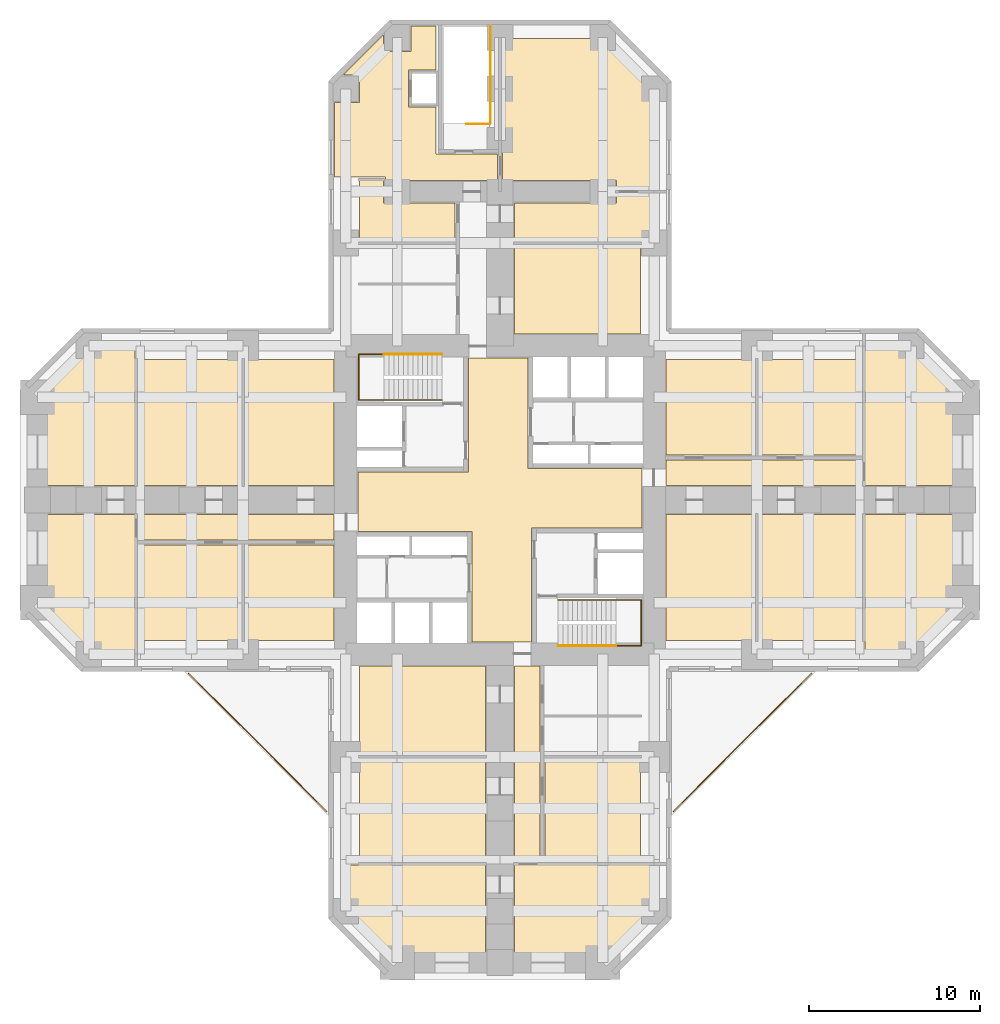
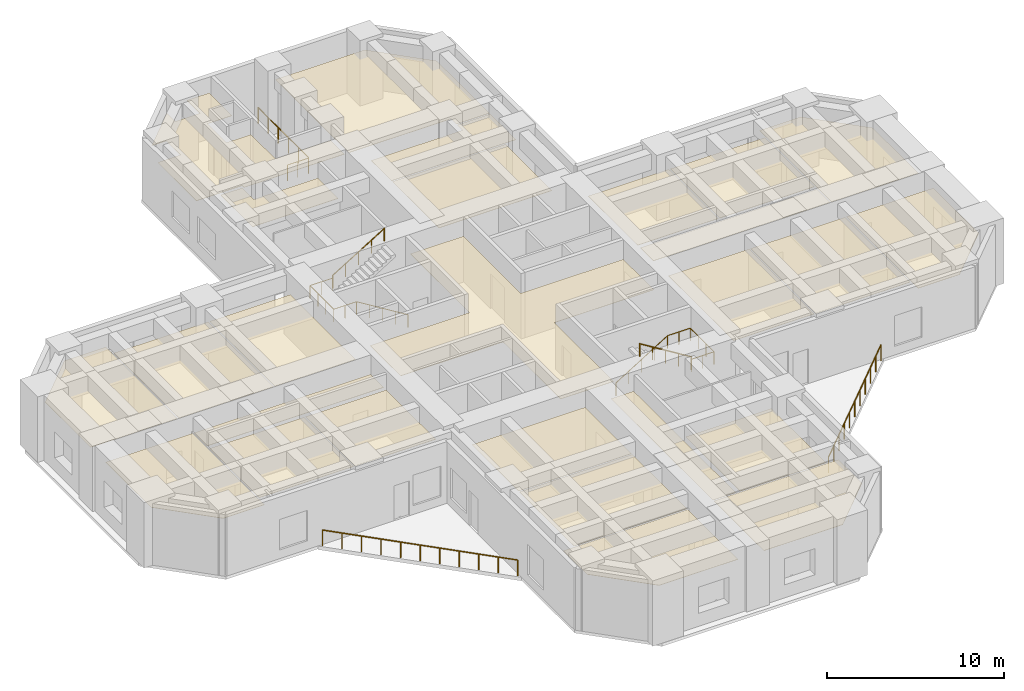
# One storey, part 8 of 8: 26 coverings, 8 railings.
"""IFC4 building model written with IfcOpenShell, lengths in metres."""

from ifc_helpers import new_model, si_unit, direction, frame, origin, origin_2d, place, context, subcontext, project, spatial, polyline, circle, outline, extrude, material, layer, layer_set, constituent, constituent_set, type_object, element, save


model = new_model("IFC4")

# Units and contexts
model_context = context("Model", 3, precision=1e-05, world=origin(), true_north=direction((0.0, 1.0)))
body_context = subcontext(model_context, "Body", "Model", "MODEL_VIEW")
ifc_project = project(units=[si_unit("LENGTHUNIT", "METRE"), si_unit("AREAUNIT", "SQUARE_METRE"), si_unit("VOLUMEUNIT", "CUBIC_METRE"), si_unit("PLANEANGLEUNIT", "RADIAN"), si_unit("MASSUNIT", "GRAM", prefix="KILO")], contexts=[model_context])

# Site, building, storey
site_placement = place(None, origin())
site = spatial("IfcSite", under=ifc_project, at=site_placement, CompositionType="ELEMENT")
building_placement = place(site_placement, origin())
building = spatial("IfcBuilding", under=site, at=building_placement, Name="Torre Cruceta", CompositionType="ELEMENT")
storey_placement = place(building_placement, frame((0.0, 0.0, 14.0)))
storey = spatial("IfcBuildingStorey", under=building, at=storey_placement, Name="L03", CompositionType="ELEMENT", Elevation=14.0)

# Railings
ifc_material_1 = material(Name="Stainless steel 1.4401", Category="steel")
railing_type_1 = type_object("IfcRailingType", Name="HANDRAIL 900", PredefinedType="HANDRAIL", material=ifc_material_1)
railing_1_placement = place(storey_placement, frame((-3.39990234375, 5.8349609375, 0.173095703125)))
element("IfcRailing", 1, at=railing_1_placement, inside=storey, type_object=railing_type_1, Name="Handrail HR1 ST1 L03", PredefinedType="HANDRAIL", context=body_context, shape_type="SweptSolid", body=[
    extrude(circle(Radius=0.02392578125, at=origin_2d()), frame((0.0, 0.0, 0.8759765625), z_axis=(-0.850623216509, 0.0, 0.525775754039), x_axis=(0.0, -1.0, 0.0)), (0.0, 0.0, 1.0), 3.9501953125),
    extrude(circle(Radius=0.02392578125, at=origin_2d()), frame((-3.360107421875, 0.0, 2.95263671875), z_axis=(-1.0, 0.0, 0.0), x_axis=(0.0, -1.0, 0.0)), (0.0, 0.0, 1.0), 1.47998046875),
    extrude(circle(Radius=0.02392578125, at=origin_2d()), frame((-4.840087890625, 0.0, 2.95263671875), z_axis=(0.0, 1.0, 0.0), x_axis=(-1.0, 0.0, 0.0)), (0.0, 0.0, 1.0), 2.679931640625),
    extrude(circle(Radius=0.02392578125, at=origin_2d()), frame((-4.840087890625, 2.679931640625, 2.95263671875), z_axis=(1.0, 0.0, 0.0), x_axis=(0.0, 1.0, 0.0)), (0.0, 0.0, 1.0), 1.47998046875),
    extrude(circle(Radius=0.02099609375, at=origin_2d()), origin(), (0.0, 0.0, 1.0), 0.851806640625),
    extrude(circle(Radius=0.02099609375, at=origin_2d()), frame((-0.840087890625, 0.0, 0.519287109375)), (0.0, 0.0, 1.0), 0.851806640625),
    extrude(circle(Radius=0.02099609375, at=origin_2d()), frame((-1.68017578125, 0.0, 1.03857421875)), (0.0, 0.0, 1.0), 0.851806640625),
    extrude(circle(Radius=0.02099609375, at=origin_2d()), frame((-2.52001953125, 0.0, 1.5576171875)), (0.0, 0.0, 1.0), 0.851806640625),
    extrude(circle(Radius=0.02099609375, at=origin_2d()), frame((-3.360107421875, 0.0, 2.076904296875)), (0.0, 0.0, 1.0), 0.851806640625),
    extrude(circle(Radius=0.02099609375, at=origin_2d()), frame((-4.10009765625, 0.0, 2.076904296875)), (0.0, 0.0, 1.0), 0.851806640625),
    extrude(circle(Radius=0.02099609375, at=origin_2d()), frame((-4.840087890625, 0.0, 2.076904296875)), (0.0, 0.0, 1.0), 0.851806640625),
    extrude(circle(Radius=0.02099609375, at=origin_2d()), frame((-4.840087890625, 0.893310546875, 2.076904296875)), (0.0, 0.0, 1.0), 0.851806640625),
    extrude(circle(Radius=0.02099609375, at=origin_2d()), frame((-4.840087890625, 1.78662109375, 2.076904296875)), (0.0, 0.0, 1.0), 0.851806640625),
    extrude(circle(Radius=0.02099609375, at=origin_2d()), frame((-4.840087890625, 2.679931640625, 2.076904296875)), (0.0, 0.0, 1.0), 0.851806640625),
    extrude(circle(Radius=0.02099609375, at=origin_2d()), frame((-4.10009765625, 2.679931640625, 2.076904296875)), (0.0, 0.0, 1.0), 0.851806640625),
    extrude(circle(Radius=0.02099609375, at=origin_2d()), frame((-3.360107421875, 2.679931640625, 2.076904296875)), (0.0, 0.0, 1.0), 0.851806640625),
])
railing_2_placement = place(storey_placement, frame((-6.760009765625, 8.514892578125, 2.423095703125)))
element("IfcRailing", 2, at=railing_2_placement, inside=storey, type_object=railing_type_1, Name="Handrail HR1 ST1 L03", PredefinedType="HANDRAIL", context=body_context, shape_type="SweptSolid", body=[
    extrude(circle(Radius=0.02392578125, at=origin_2d()), frame((0.0, 0.0, 0.8759765625), z_axis=(0.850623216509, 0.0, 0.525775754039), x_axis=(0.0, 1.0, 0.0)), (0.0, 0.0, 1.0), 3.9501953125),
    extrude(circle(Radius=0.02099609375, at=origin_2d()), origin(), (0.0, 0.0, 1.0), 0.851806640625),
    extrude(circle(Radius=0.02099609375, at=origin_2d()), frame((0.840087890625, 0.0, 0.519287109375)), (0.0, 0.0, 1.0), 0.851806640625),
    extrude(circle(Radius=0.02099609375, at=origin_2d()), frame((1.68017578125, 0.0, 1.03857421875)), (0.0, 0.0, 1.0), 0.851806640625),
    extrude(circle(Radius=0.02099609375, at=origin_2d()), frame((2.52001953125, 0.0, 1.5576171875)), (0.0, 0.0, 1.0), 0.851806640625),
    extrude(circle(Radius=0.02099609375, at=origin_2d()), frame((3.360107421875, 0.0, 2.076904296875)), (0.0, 0.0, 1.0), 0.851806640625),
])
railing_3_placement = place(storey_placement, frame((3.39990234375, -5.8349609375, 0.173095703125)))
element("IfcRailing", 3, at=railing_3_placement, inside=storey, type_object=railing_type_1, Name="Handrail HR1 ST2 L03", PredefinedType="HANDRAIL", context=body_context, shape_type="SweptSolid", body=[
    extrude(circle(Radius=0.02392578125, at=origin_2d()), frame((0.0, 0.0, 0.8759765625), z_axis=(0.850623216509, 0.0, 0.525775754039), x_axis=(0.0, 1.0, 0.0)), (0.0, 0.0, 1.0), 3.9501953125),
    extrude(circle(Radius=0.02392578125, at=origin_2d()), frame((3.360107421875, 0.0, 2.95263671875), z_axis=(1.0, 0.0, 0.0), x_axis=(0.0, 1.0, 0.0)), (0.0, 0.0, 1.0), 1.47998046875),
    extrude(circle(Radius=0.02392578125, at=origin_2d()), frame((4.840087890625, 0.0, 2.95263671875), z_axis=(0.0, -1.0, 0.0), x_axis=(1.0, 0.0, 0.0)), (0.0, 0.0, 1.0), 2.679931640625),
    extrude(circle(Radius=0.02392578125, at=origin_2d()), frame((4.840087890625, -2.679931640625, 2.95263671875), z_axis=(-1.0, 0.0, 0.0), x_axis=(0.0, -1.0, 0.0)), (0.0, 0.0, 1.0), 1.47998046875),
    extrude(circle(Radius=0.02099609375, at=origin_2d()), origin(), (0.0, 0.0, 1.0), 0.851806640625),
    extrude(circle(Radius=0.02099609375, at=origin_2d()), frame((0.840087890625, 0.0, 0.519287109375)), (0.0, 0.0, 1.0), 0.851806640625),
    extrude(circle(Radius=0.02099609375, at=origin_2d()), frame((1.68017578125, 0.0, 1.03857421875)), (0.0, 0.0, 1.0), 0.851806640625),
    extrude(circle(Radius=0.02099609375, at=origin_2d()), frame((2.52001953125, 0.0, 1.5576171875)), (0.0, 0.0, 1.0), 0.851806640625),
    extrude(circle(Radius=0.02099609375, at=origin_2d()), frame((3.360107421875, 0.0, 2.076904296875)), (0.0, 0.0, 1.0), 0.851806640625),
    extrude(circle(Radius=0.02099609375, at=origin_2d()), frame((4.10009765625, 0.0, 2.076904296875)), (0.0, 0.0, 1.0), 0.851806640625),
    extrude(circle(Radius=0.02099609375, at=origin_2d()), frame((4.840087890625, 0.0, 2.076904296875)), (0.0, 0.0, 1.0), 0.851806640625),
    extrude(circle(Radius=0.02099609375, at=origin_2d()), frame((4.840087890625, -0.893310546875, 2.076904296875)), (0.0, 0.0, 1.0), 0.851806640625),
    extrude(circle(Radius=0.02099609375, at=origin_2d()), frame((4.840087890625, -1.78662109375, 2.076904296875)), (0.0, 0.0, 1.0), 0.851806640625),
    extrude(circle(Radius=0.02099609375, at=origin_2d()), frame((4.840087890625, -2.679931640625, 2.076904296875)), (0.0, 0.0, 1.0), 0.851806640625),
    extrude(circle(Radius=0.02099609375, at=origin_2d()), frame((4.10009765625, -2.679931640625, 2.076904296875)), (0.0, 0.0, 1.0), 0.851806640625),
    extrude(circle(Radius=0.02099609375, at=origin_2d()), frame((3.360107421875, -2.679931640625, 2.076904296875)), (0.0, 0.0, 1.0), 0.851806640625),
])
railing_4_placement = place(storey_placement, frame((6.760009765625, -8.514892578125, 2.423095703125)))
element("IfcRailing", 4, at=railing_4_placement, inside=storey, type_object=railing_type_1, Name="Handrail HR1 ST2 L03", PredefinedType="HANDRAIL", context=body_context, shape_type="SweptSolid", body=[
    extrude(circle(Radius=0.02392578125, at=origin_2d()), frame((0.0, 0.0, 0.8759765625), z_axis=(-0.850623216509, 0.0, 0.525775754039), x_axis=(0.0, -1.0, 0.0)), (0.0, 0.0, 1.0), 3.9501953125),
    extrude(circle(Radius=0.02099609375, at=origin_2d()), origin(), (0.0, 0.0, 1.0), 0.851806640625),
    extrude(circle(Radius=0.02099609375, at=origin_2d()), frame((-0.840087890625, 0.0, 0.519287109375)), (0.0, 0.0, 1.0), 0.851806640625),
    extrude(circle(Radius=0.02099609375, at=origin_2d()), frame((-1.68017578125, 0.0, 1.03857421875)), (0.0, 0.0, 1.0), 0.851806640625),
    extrude(circle(Radius=0.02099609375, at=origin_2d()), frame((-2.52001953125, 0.0, 1.5576171875)), (0.0, 0.0, 1.0), 0.851806640625),
    extrude(circle(Radius=0.02099609375, at=origin_2d()), frame((-3.360107421875, 0.0, 2.076904296875)), (0.0, 0.0, 1.0), 0.851806640625),
])
ifc_material_2 = material(Name="Steel S275", Category="steel")
railing_type_2 = type_object("IfcRailingType", Name="STAIR GUARD 1100", PredefinedType="GUARDRAIL", material=ifc_material_2)
railing_5_placement = place(storey_placement, frame((-0.550048828125, 22.0, 0.0)))
element("IfcRailing", 5, at=railing_5_placement, inside=storey, type_object=railing_type_2, Name="Stair guard GR2 ST3 well L03", PredefinedType="GUARDRAIL", context=body_context, shape_type="SweptSolid", body=[
    extrude(circle(Radius=0.02392578125, at=origin_2d()), frame((0.0, 0.0, 1.076171875), z_axis=(0.0, 1.0, 0.0), x_axis=(-1.0, 0.0, 0.0)), (0.0, 0.0, 1.0), 5.669921875),
    extrude(circle(Radius=0.02099609375, at=origin_2d()), origin(), (0.0, 0.0, 1.0), 1.052001953125),
    extrude(circle(Radius=0.02099609375, at=origin_2d()), frame((0.0, 1.134033203125, 0.0)), (0.0, 0.0, 1.0), 1.052001953125),
    extrude(circle(Radius=0.02099609375, at=origin_2d()), frame((0.0, 2.26806640625, 0.0)), (0.0, 0.0, 1.0), 1.052001953125),
    extrude(circle(Radius=0.02099609375, at=origin_2d()), frame((0.0, 3.40185546875, 0.0)), (0.0, 0.0, 1.0), 1.052001953125),
    extrude(circle(Radius=0.02099609375, at=origin_2d()), frame((0.0, 4.535888671875, 0.0)), (0.0, 0.0, 1.0), 1.052001953125),
    extrude(circle(Radius=0.02099609375, at=origin_2d()), frame((0.0, 5.669921875, 0.0)), (0.0, 0.0, 1.0), 1.052001953125),
])
railing_6_placement = place(storey_placement, frame((-0.60009765625, 21.949951171875, 0.0)))
element("IfcRailing", 6, at=railing_6_placement, inside=storey, type_object=railing_type_2, Name="Stair guard GR2 ST3 well L03", PredefinedType="GUARDRAIL", context=body_context, shape_type="SweptSolid", body=[
    extrude(circle(Radius=0.02392578125, at=origin_2d()), frame((0.0, 0.0, 1.076171875), z_axis=(-1.0, 0.0, 0.0), x_axis=(0.0, -1.0, 0.0)), (0.0, 0.0, 1.0), 1.349853515625),
    extrude(circle(Radius=0.02099609375, at=origin_2d()), origin(), (0.0, 0.0, 1.0), 1.052001953125),
    extrude(circle(Radius=0.02099609375, at=origin_2d()), frame((-0.6748046875, 0.0, 0.0)), (0.0, 0.0, 1.0), 1.052001953125),
    extrude(circle(Radius=0.02099609375, at=origin_2d()), frame((-1.349853515625, 0.0, 0.0)), (0.0, 0.0, 1.0), 1.052001953125),
])

# Coverings
ifc_material_3 = material(Name="Mineral fibre ceiling tile", Category="gypsum")
ifc_layer = layer(ifc_material_3, 0.02001953125)
ifc_layer_set = layer_set([ifc_layer], Name="Mineral fibre ceiling tile")
covering_type = type_object("IfcCoveringType", Name="SUSPENDED CEILING 20", PredefinedType="CEILING", material=ifc_layer_set)
covering_1_placement = place(storey_placement, frame((0.0, 0.0, 3.179931640625)))
element("IfcCovering", 7, at=covering_1_placement, inside=storey, type_object=covering_type, Name="Ceiling L03-001", PredefinedType="CEILING", context=body_context, shape_type="SweptSolid", body=[
    extrude(outline(polyline([(-1.625, -8.300048828125), (-1.625, -1.824951171875), (-8.300048828125, -1.824951171875), (-8.300048828125, 1.625), (-1.824951171875, 1.625), (-1.824951171875, 8.300048828125), (1.625, 8.300048828125), (1.625, 1.824951171875), (8.300048828125, 1.824951171875), (8.300048828125, -1.625), (1.824951171875, -1.625), (1.824951171875, -8.300048828125), (-1.625, -8.300048828125)])), origin(), (0.0, 0.0, 1.0), 0.02001953125),
])
covering_2_placement = place(storey_placement, frame((0.0, 0.0, 3.179931640625)))
element("IfcCovering", 8, at=covering_2_placement, inside=storey, type_object=covering_type, Name="Ceiling L03-024", PredefinedType="CEILING", context=body_context, shape_type="SweptSolid", body=[
    extrude(outline(polyline([(8.199951171875, 9.699951171875), (0.85009765625, 9.699951171875), (0.85009765625, 14.949951171875), (8.199951171875, 14.949951171875), (8.199951171875, 9.699951171875)])), origin(), (0.0, 0.0, 1.0), 0.02001953125),
])
covering_3_placement = place(storey_placement, frame((0.0, 0.0, 3.179931640625)))
element("IfcCovering", 9, at=covering_3_placement, inside=storey, type_object=covering_type, Name="Ceiling L03-028", PredefinedType="CEILING", context=body_context, shape_type="SweptSolid", body=[
    extrude(outline(polyline([(-2.625, 15.050048828125), (-8.199951171875, 15.050048828125), (-8.199951171875, 18.64990234375), (-6.800048828125, 18.64990234375), (-6.800048828125, 17.35009765625), (-2.625, 17.35009765625), (-2.625, 15.050048828125)])), origin(), (0.0, 0.0, 1.0), 0.02001953125),
])
covering_4_placement = place(storey_placement, frame((0.0, 0.0, 3.179931640625)))
element("IfcCovering", 10, at=covering_4_placement, inside=storey, type_object=covering_type, Name="Ceiling L03-031", PredefinedType="CEILING", context=body_context, shape_type="SweptSolid", body=[
    extrude(outline(polyline([(-9.669921875, 23.195068359375), (-8.195068359375, 23.195068359375), (-8.195068359375, 24.804931640625), (-9.142578125, 24.804931640625), (-6.804931640625, 27.142578125), (-6.804931640625, 26.195068359375), (-5.195068359375, 26.195068359375), (-5.195068359375, 27.669921875), (-3.75, 27.669921875), (-3.75, 25.10009765625), (-5.35009765625, 25.10009765625), (-5.35009765625, 22.949951171875), (-3.75, 22.949951171875), (-3.75, 20.199951171875), (-0.14990234375, 20.199951171875), (-0.14990234375, 18.64990234375), (-6.68994140625, 18.64990234375), (-6.68994140625, 18.85009765625), (-9.669921875, 18.85009765625), (-9.669921875, 23.195068359375)])), origin(), (0.0, 0.0, 1.0), 0.02001953125),
])
covering_5_placement = place(storey_placement, frame((0.0, 0.0, 3.179931640625)))
element("IfcCovering", 11, at=covering_5_placement, inside=storey, type_object=covering_type, Name="Ceiling L03-032", PredefinedType="CEILING", context=body_context, shape_type="SweptSolid", body=[
    extrude(outline(polyline([(6.800048828125, 18.050048828125), (6.800048828125, 18.64990234375), (0.14990234375, 18.64990234375), (0.14990234375, 26.949951171875), (5.979248046875, 26.949951171875), (8.949951171875, 23.979248046875), (8.949951171875, 18.050048828125), (6.800048828125, 18.050048828125)])), origin(), (0.0, 0.0, 1.0), 0.02001953125),
])
covering_6_placement = place(storey_placement, frame((0.0, 0.0, 3.179931640625)))
element("IfcCovering", 12, at=covering_6_placement, inside=storey, type_object=covering_type, Name="Ceiling L03-033", PredefinedType="CEILING", context=body_context, shape_type="SweptSolid", body=[
    extrude(outline(polyline([(0.85009765625, 15.050048828125), (0.85009765625, 17.35009765625), (6.800048828125, 17.35009765625), (6.800048828125, 17.949951171875), (8.949951171875, 17.949951171875), (8.949951171875, 15.050048828125), (0.85009765625, 15.050048828125)])), origin(), (0.0, 0.0, 1.0), 0.02001953125),
])
covering_7_placement = place(storey_placement, frame((0.0, 0.0, 3.179931640625)))
element("IfcCovering", 13, at=covering_7_placement, inside=storey, type_object=covering_type, Name="Ceiling L03-034", PredefinedType="CEILING", context=body_context, shape_type="SweptSolid", body=[
    extrude(outline(polyline([(9.699951171875, 0.85009765625), (9.699951171875, 2.324951171875), (21.199951171875, 2.324951171875), (21.199951171875, 0.85009765625), (9.699951171875, 0.85009765625)])), origin(), (0.0, 0.0, 1.0), 0.02001953125),
])
covering_8_placement = place(storey_placement, frame((0.0, 0.0, 3.179931640625)))
element("IfcCovering", 14, at=covering_8_placement, inside=storey, type_object=covering_type, Name="Ceiling L03-035", PredefinedType="CEILING", context=body_context, shape_type="SweptSolid", body=[
    extrude(outline(polyline([(9.699951171875, 2.625), (9.699951171875, 8.199951171875), (14.949951171875, 8.199951171875), (14.949951171875, 2.625), (9.699951171875, 2.625)])), origin(), (0.0, 0.0, 1.0), 0.02001953125),
])
covering_9_placement = place(storey_placement, frame((0.0, 0.0, 3.179931640625)))
element("IfcCovering", 15, at=covering_9_placement, inside=storey, type_object=covering_type, Name="Ceiling L03-036", PredefinedType="CEILING", context=body_context, shape_type="SweptSolid", body=[
    extrude(outline(polyline([(9.699951171875, -8.199951171875), (9.699951171875, -0.85009765625), (14.949951171875, -0.85009765625), (14.949951171875, -8.199951171875), (9.699951171875, -8.199951171875)])), origin(), (0.0, 0.0, 1.0), 0.02001953125),
])
covering_10_placement = place(storey_placement, frame((0.0, 0.0, 3.179931640625)))
element("IfcCovering", 16, at=covering_10_placement, inside=storey, type_object=covering_type, Name="Ceiling L03-037", PredefinedType="CEILING", context=body_context, shape_type="SweptSolid", body=[
    extrude(outline(polyline([(15.050048828125, 2.625), (15.050048828125, 8.199951171875), (21.199951171875, 8.199951171875), (21.199951171875, 2.625), (15.050048828125, 2.625)])), origin(), (0.0, 0.0, 1.0), 0.02001953125),
])
covering_11_placement = place(storey_placement, frame((0.0, 0.0, 3.179931640625)))
element("IfcCovering", 17, at=covering_11_placement, inside=storey, type_object=covering_type, Name="Ceiling L03-038", PredefinedType="CEILING", context=body_context, shape_type="SweptSolid", body=[
    extrude(outline(polyline([(15.050048828125, -8.199951171875), (15.050048828125, -0.85009765625), (21.199951171875, -0.85009765625), (21.199951171875, -8.199951171875), (15.050048828125, -8.199951171875)])), origin(), (0.0, 0.0, 1.0), 0.02001953125),
])
covering_12_placement = place(storey_placement, frame((0.0, 0.0, 3.179931640625)))
element("IfcCovering", 18, at=covering_12_placement, inside=storey, type_object=covering_type, Name="Ceiling L03-039", PredefinedType="CEILING", context=body_context, shape_type="SweptSolid", body=[
    extrude(outline(polyline([(21.300048828125, 8.949951171875), (23.979248046875, 8.949951171875), (26.949951171875, 5.979248046875), (26.949951171875, 0.85009765625), (21.300048828125, 0.85009765625), (21.300048828125, 8.949951171875)])), origin(), (0.0, 0.0, 1.0), 0.02001953125),
])
covering_13_placement = place(storey_placement, frame((0.0, 0.0, 3.179931640625)))
element("IfcCovering", 19, at=covering_13_placement, inside=storey, type_object=covering_type, Name="Ceiling L03-040", PredefinedType="CEILING", context=body_context, shape_type="SweptSolid", body=[
    extrude(outline(polyline([(26.949951171875, -5.979248046875), (23.979248046875, -8.949951171875), (21.300048828125, -8.949951171875), (21.300048828125, -0.85009765625), (26.949951171875, -0.85009765625), (26.949951171875, -5.979248046875)])), origin(), (0.0, 0.0, 1.0), 0.02001953125),
])
covering_14_placement = place(storey_placement, frame((0.0, 0.0, 3.179931640625)))
element("IfcCovering", 20, at=covering_14_placement, inside=storey, type_object=covering_type, Name="Ceiling L03-041", PredefinedType="CEILING", context=body_context, shape_type="SweptSolid", body=[
    extrude(outline(polyline([(0.85009765625, -9.699951171875), (2.324951171875, -9.699951171875), (2.324951171875, -21.199951171875), (0.85009765625, -21.199951171875), (0.85009765625, -9.699951171875)])), origin(), (0.0, 0.0, 1.0), 0.02001953125),
])
covering_15_placement = place(storey_placement, frame((0.0, 0.0, 3.179931640625)))
element("IfcCovering", 21, at=covering_15_placement, inside=storey, type_object=covering_type, Name="Ceiling L03-042", PredefinedType="CEILING", context=body_context, shape_type="SweptSolid", body=[
    extrude(outline(polyline([(-8.199951171875, -9.699951171875), (-0.85009765625, -9.699951171875), (-0.85009765625, -14.949951171875), (-8.199951171875, -14.949951171875), (-8.199951171875, -9.699951171875)])), origin(), (0.0, 0.0, 1.0), 0.02001953125),
])
covering_16_placement = place(storey_placement, frame((0.0, 0.0, 3.179931640625)))
element("IfcCovering", 22, at=covering_16_placement, inside=storey, type_object=covering_type, Name="Ceiling L03-043", PredefinedType="CEILING", context=body_context, shape_type="SweptSolid", body=[
    extrude(outline(polyline([(2.625, -15.050048828125), (8.199951171875, -15.050048828125), (8.199951171875, -21.199951171875), (2.625, -21.199951171875), (2.625, -15.050048828125)])), origin(), (0.0, 0.0, 1.0), 0.02001953125),
])
covering_17_placement = place(storey_placement, frame((0.0, 0.0, 3.179931640625)))
element("IfcCovering", 23, at=covering_17_placement, inside=storey, type_object=covering_type, Name="Ceiling L03-044", PredefinedType="CEILING", context=body_context, shape_type="SweptSolid", body=[
    extrude(outline(polyline([(-8.199951171875, -15.050048828125), (-0.85009765625, -15.050048828125), (-0.85009765625, -21.199951171875), (-8.199951171875, -21.199951171875), (-8.199951171875, -15.050048828125)])), origin(), (0.0, 0.0, 1.0), 0.02001953125),
])
covering_18_placement = place(storey_placement, frame((0.0, 0.0, 3.179931640625)))
element("IfcCovering", 24, at=covering_18_placement, inside=storey, type_object=covering_type, Name="Ceiling L03-045", PredefinedType="CEILING", context=body_context, shape_type="SweptSolid", body=[
    extrude(outline(polyline([(8.949951171875, -21.300048828125), (8.949951171875, -23.979248046875), (5.979248046875, -26.949951171875), (0.85009765625, -26.949951171875), (0.85009765625, -21.300048828125), (8.949951171875, -21.300048828125)])), origin(), (0.0, 0.0, 1.0), 0.02001953125),
])
covering_19_placement = place(storey_placement, frame((0.0, 0.0, 3.179931640625)))
element("IfcCovering", 25, at=covering_19_placement, inside=storey, type_object=covering_type, Name="Ceiling L03-046", PredefinedType="CEILING", context=body_context, shape_type="SweptSolid", body=[
    extrude(outline(polyline([(-5.979248046875, -26.949951171875), (-8.949951171875, -23.979248046875), (-8.949951171875, -21.300048828125), (-0.85009765625, -21.300048828125), (-0.85009765625, -26.949951171875), (-5.979248046875, -26.949951171875)])), origin(), (0.0, 0.0, 1.0), 0.02001953125),
])
covering_20_placement = place(storey_placement, frame((0.0, 0.0, 3.179931640625)))
element("IfcCovering", 26, at=covering_20_placement, inside=storey, type_object=covering_type, Name="Ceiling L03-049", PredefinedType="CEILING", context=body_context, shape_type="SweptSolid", body=[
    extrude(outline(polyline([(-9.699951171875, -0.85009765625), (-9.699951171875, -2.324951171875), (-21.199951171875, -2.324951171875), (-21.199951171875, -0.85009765625), (-9.699951171875, -0.85009765625)])), origin(), (0.0, 0.0, 1.0), 0.02001953125),
])
covering_21_placement = place(storey_placement, frame((0.0, 0.0, 3.179931640625)))
element("IfcCovering", 27, at=covering_21_placement, inside=storey, type_object=covering_type, Name="Ceiling L03-050", PredefinedType="CEILING", context=body_context, shape_type="SweptSolid", body=[
    extrude(outline(polyline([(-9.699951171875, -2.625), (-9.699951171875, -8.199951171875), (-14.949951171875, -8.199951171875), (-14.949951171875, -2.625), (-9.699951171875, -2.625)])), origin(), (0.0, 0.0, 1.0), 0.02001953125),
])
covering_22_placement = place(storey_placement, frame((0.0, 0.0, 3.179931640625)))
element("IfcCovering", 28, at=covering_22_placement, inside=storey, type_object=covering_type, Name="Ceiling L03-051", PredefinedType="CEILING", context=body_context, shape_type="SweptSolid", body=[
    extrude(outline(polyline([(-9.699951171875, 8.199951171875), (-9.699951171875, 0.85009765625), (-14.949951171875, 0.85009765625), (-14.949951171875, 8.199951171875), (-9.699951171875, 8.199951171875)])), origin(), (0.0, 0.0, 1.0), 0.02001953125),
])
covering_23_placement = place(storey_placement, frame((0.0, 0.0, 3.179931640625)))
element("IfcCovering", 29, at=covering_23_placement, inside=storey, type_object=covering_type, Name="Ceiling L03-052", PredefinedType="CEILING", context=body_context, shape_type="SweptSolid", body=[
    extrude(outline(polyline([(-15.050048828125, -2.625), (-15.050048828125, -8.199951171875), (-21.199951171875, -8.199951171875), (-21.199951171875, -2.625), (-15.050048828125, -2.625)])), origin(), (0.0, 0.0, 1.0), 0.02001953125),
])
covering_24_placement = place(storey_placement, frame((0.0, 0.0, 3.179931640625)))
element("IfcCovering", 30, at=covering_24_placement, inside=storey, type_object=covering_type, Name="Ceiling L03-053", PredefinedType="CEILING", context=body_context, shape_type="SweptSolid", body=[
    extrude(outline(polyline([(-15.050048828125, 8.199951171875), (-15.050048828125, 0.85009765625), (-21.199951171875, 0.85009765625), (-21.199951171875, 8.199951171875), (-15.050048828125, 8.199951171875)])), origin(), (0.0, 0.0, 1.0), 0.02001953125),
])
covering_25_placement = place(storey_placement, frame((0.0, 0.0, 3.179931640625)))
element("IfcCovering", 31, at=covering_25_placement, inside=storey, type_object=covering_type, Name="Ceiling L03-054", PredefinedType="CEILING", context=body_context, shape_type="SweptSolid", body=[
    extrude(outline(polyline([(-21.300048828125, -8.949951171875), (-23.979248046875, -8.949951171875), (-26.949951171875, -5.979248046875), (-26.949951171875, -0.85009765625), (-21.300048828125, -0.85009765625), (-21.300048828125, -8.949951171875)])), origin(), (0.0, 0.0, 1.0), 0.02001953125),
])
covering_26_placement = place(storey_placement, frame((0.0, 0.0, 3.179931640625)))
element("IfcCovering", 32, at=covering_26_placement, inside=storey, type_object=covering_type, Name="Ceiling L03-055", PredefinedType="CEILING", context=body_context, shape_type="SweptSolid", body=[
    extrude(outline(polyline([(-26.949951171875, 5.979248046875), (-23.979248046875, 8.949951171875), (-21.300048828125, 8.949951171875), (-21.300048828125, 0.85009765625), (-26.949951171875, 0.85009765625), (-26.949951171875, 5.979248046875)])), origin(), (0.0, 0.0, 1.0), 0.02001953125),
])

# Railings
ifc_material_4 = material(Name="Stainless steel 1.4401", Category="steel")
ifc_constituent_1 = constituent(ifc_material_4, Name="Frame")
ifc_material_5 = material(Name="Laminated safety glass", Category="glass")
ifc_constituent_2 = constituent(ifc_material_5, Name="Infill")
ifc_constituent_set = constituent_set(constituents=[ifc_constituent_1, ifc_constituent_2], Name="Stainless steel and laminated glass balustrade")
railing_type_3 = type_object("IfcRailingType", Name="TERRACE GUARD 1100", PredefinedType="GUARDRAIL", material=ifc_constituent_set)
railing_7_placement = place(storey_placement, frame((-10.1201171875, -18.18115234375, 0.0)))
element("IfcRailing", 33, at=railing_7_placement, inside=storey, type_object=railing_type_3, Name="GR1 terrace guard L03 1", PredefinedType="GUARDRAIL", context=body_context, shape_type="SweptSolid", body=[
    extrude(circle(Radius=0.02392578125, at=origin_2d()), frame((0.0, 0.0, 1.076171875), z_axis=(-0.707106781187, 0.707106781187, 0.0), x_axis=(-0.707106781187, -0.707106781187, 0.0)), (0.0, 0.0, 1.0), 11.400146484375),
    extrude(circle(Radius=0.02099609375, at=origin_2d()), origin(), (0.0, 0.0, 1.0), 1.052001953125),
    extrude(circle(Radius=0.02099609375, at=origin_2d()), frame((-0.80615234375, 0.80615234375, 0.0)), (0.0, 0.0, 1.0), 1.052001953125),
    extrude(circle(Radius=0.02099609375, at=origin_2d()), frame((-1.6123046875, 1.6123046875, 0.0)), (0.0, 0.0, 1.0), 1.052001953125),
    extrude(circle(Radius=0.02099609375, at=origin_2d()), frame((-2.418212890625, 2.418212890625, 0.0)), (0.0, 0.0, 1.0), 1.052001953125),
    extrude(circle(Radius=0.02099609375, at=origin_2d()), frame((-3.224365234375, 3.224365234375, 0.0)), (0.0, 0.0, 1.0), 1.052001953125),
    extrude(circle(Radius=0.02099609375, at=origin_2d()), frame((-4.030517578125, 4.030517578125, 0.0)), (0.0, 0.0, 1.0), 1.052001953125),
    extrude(circle(Radius=0.02099609375, at=origin_2d()), frame((-4.836669921875, 4.836669921875, 0.0)), (0.0, 0.0, 1.0), 1.052001953125),
    extrude(circle(Radius=0.02099609375, at=origin_2d()), frame((-5.642822265625, 5.642822265625, 0.0)), (0.0, 0.0, 1.0), 1.052001953125),
    extrude(circle(Radius=0.02099609375, at=origin_2d()), frame((-6.44873046875, 6.44873046875, 0.0)), (0.0, 0.0, 1.0), 1.052001953125),
    extrude(circle(Radius=0.02099609375, at=origin_2d()), frame((-7.2548828125, 7.2548828125, 0.0)), (0.0, 0.0, 1.0), 1.052001953125),
    extrude(circle(Radius=0.02099609375, at=origin_2d()), frame((-8.06103515625, 8.06103515625, 0.0)), (0.0, 0.0, 1.0), 1.052001953125),
])
railing_8_placement = place(storey_placement, frame((18.18115234375, -10.1201171875, 0.0)))
element("IfcRailing", 34, at=railing_8_placement, inside=storey, type_object=railing_type_3, Name="GR1 terrace guard L03 1", PredefinedType="GUARDRAIL", context=body_context, shape_type="SweptSolid", body=[
    extrude(circle(Radius=0.02392578125, at=origin_2d()), frame((0.0, 0.0, 1.076171875), z_axis=(-0.707106781187, -0.707106781187, 0.0), x_axis=(0.707106781187, -0.707106781187, 0.0)), (0.0, 0.0, 1.0), 11.400146484375),
    extrude(circle(Radius=0.02099609375, at=origin_2d()), origin(), (0.0, 0.0, 1.0), 1.052001953125),
    extrude(circle(Radius=0.02099609375, at=origin_2d()), frame((-0.80615234375, -0.80615234375, 0.0)), (0.0, 0.0, 1.0), 1.052001953125),
    extrude(circle(Radius=0.02099609375, at=origin_2d()), frame((-1.6123046875, -1.6123046875, 0.0)), (0.0, 0.0, 1.0), 1.052001953125),
    extrude(circle(Radius=0.02099609375, at=origin_2d()), frame((-2.418212890625, -2.418212890625, 0.0)), (0.0, 0.0, 1.0), 1.052001953125),
    extrude(circle(Radius=0.02099609375, at=origin_2d()), frame((-3.224365234375, -3.224365234375, 0.0)), (0.0, 0.0, 1.0), 1.052001953125),
    extrude(circle(Radius=0.02099609375, at=origin_2d()), frame((-4.030517578125, -4.030517578125, 0.0)), (0.0, 0.0, 1.0), 1.052001953125),
    extrude(circle(Radius=0.02099609375, at=origin_2d()), frame((-4.836669921875, -4.836669921875, 0.0)), (0.0, 0.0, 1.0), 1.052001953125),
    extrude(circle(Radius=0.02099609375, at=origin_2d()), frame((-5.642822265625, -5.642822265625, 0.0)), (0.0, 0.0, 1.0), 1.052001953125),
    extrude(circle(Radius=0.02099609375, at=origin_2d()), frame((-6.44873046875, -6.44873046875, 0.0)), (0.0, 0.0, 1.0), 1.052001953125),
    extrude(circle(Radius=0.02099609375, at=origin_2d()), frame((-7.2548828125, -7.2548828125, 0.0)), (0.0, 0.0, 1.0), 1.052001953125),
    extrude(circle(Radius=0.02099609375, at=origin_2d()), frame((-8.06103515625, -8.06103515625, 0.0)), (0.0, 0.0, 1.0), 1.052001953125),
])

save(model, "model.ifc")
